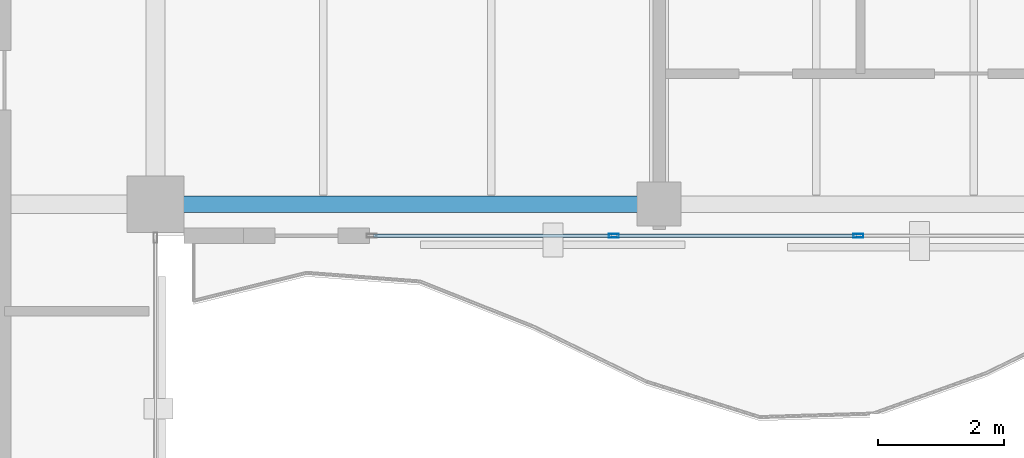
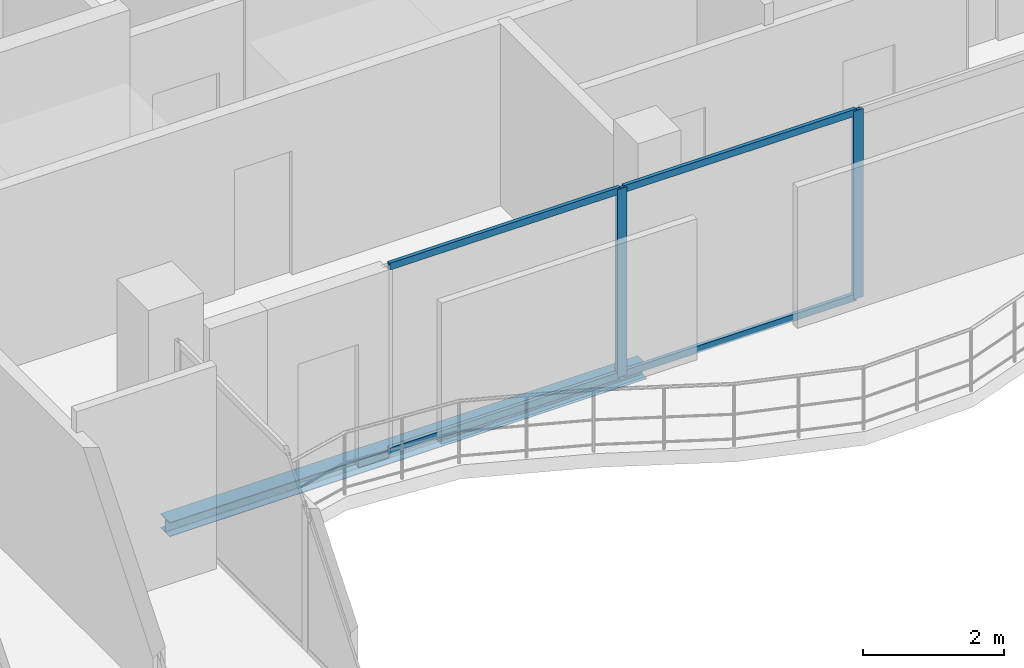
# One storey, part 9 of 22: 6 members, 1 beam, 1 element without a shape of its own.
"""IFC4 building model written with IfcOpenShell, lengths in metres."""

from ifc_helpers import new_model, si_unit, direction, frame, origin, origin_2d, place, context, subcontext, project, spatial, hollow_rectangle, i_section, extrude, material, layer, layer_set, material_profile, profile_set, type_object, element, aggregate, save


model = new_model("IFC4")

# Units and contexts
model_context = context("Model", 3, precision=1e-05, world=origin(), true_north=direction((0.0, 1.0)))
body_context = subcontext(model_context, "Body", "Model", "MODEL_VIEW")
ifc_project = project(units=[si_unit("LENGTHUNIT", "METRE"), si_unit("AREAUNIT", "SQUARE_METRE"), si_unit("VOLUMEUNIT", "CUBIC_METRE"), si_unit("PLANEANGLEUNIT", "RADIAN"), si_unit("MASSUNIT", "GRAM", prefix="KILO")], contexts=[model_context])

# Site, building, storey
site_placement = place(None, origin())
site = spatial("IfcSite", under=ifc_project, at=site_placement, CompositionType="ELEMENT")
building_placement = place(site_placement, origin())
building = spatial("IfcBuilding", under=site, at=building_placement, Name="Catumbela Crestline Tower", CompositionType="ELEMENT")
storey_placement = place(building_placement, frame((0.0, 0.0, 260.2)))
storey = spatial("IfcBuildingStorey", under=building, at=storey_placement, Name="L67", CompositionType="ELEMENT", Elevation=260.2)

# Curtain wall, members
ifc_material_1 = material(Name="Aluminium alloy AW-6060-T66", Category="aluminium")
ifc_layer = layer(ifc_material_1, 0.18, Name="Aluminium alloy AW-6060-T66")
ifc_layer_set = layer_set([ifc_layer], Name="Aluminium alloy AW-6060-T66")
curtain_wall_type = type_object("IfcCurtainWallType", Name="CWU-Z4", PredefinedType="USERDEFINED", material=ifc_layer_set)
curtain_wall_placement = place(storey_placement, origin())
curtain_wall = element("IfcCurtainWall", 1, at=curtain_wall_placement, inside=storey, type_object=curtain_wall_type, Name="L67 Unitised Curtain Wall CW-L67-E3S2", ObjectType="UNITISED", PredefinedType="USERDEFINED")
ifc_material_profile_1 = material_profile(ifc_material_1, hollow_rectangle(XDim=0.06, YDim=0.16, WallThickness=0.004, at=origin_2d()), Name="ALU 160x60x4")
ifc_profile_set_1 = profile_set([ifc_material_profile_1], Name="Aluminium alloy AW-6060-T66")
member_type_1 = type_object("IfcMemberType", Name="MUL-160X60", PredefinedType="MULLION", material=ifc_profile_set_1)
member_1_placement = place(storey_placement, frame((31.2833, 24.0, 0.0), z_axis=(0.0, 0.0, 1.0), x_axis=(0.0, 1.0, 0.0)))
member_1 = element("IfcMember", 2, at=member_1_placement, type_object=member_type_1, Name="CWU-Z4 mullion 2", PredefinedType="MULLION", context=body_context, shape_type="SweptSolid", body=[
    extrude(hollow_rectangle(XDim=0.06, YDim=0.16, WallThickness=0.004, at=origin_2d()), origin(), (0.0, 0.0, 1.0), 3.27),
])
member_2_placement = place(storey_placement, frame((35.1667, 24.0, 0.0), z_axis=(0.0, 0.0, 1.0), x_axis=(0.0, 1.0, 0.0)))
member_2 = element("IfcMember", 3, at=member_2_placement, type_object=member_type_1, Name="CWU-Z4 mullion 3", PredefinedType="MULLION", context=body_context, shape_type="SweptSolid", body=[
    extrude(hollow_rectangle(XDim=0.06, YDim=0.16, WallThickness=0.004, at=origin_2d()), origin(), (0.0, 0.0, 1.0), 3.27),
])

# Beam
ifc_material_2 = material(Name="Structural steel S355J2", Category="steel")
ifc_material_profile_2 = material_profile(ifc_material_2, i_section(OverallWidth=0.26, OverallDepth=0.25, WebThickness=0.0075, FlangeThickness=0.0125, FilletRadius=0.024, at=origin_2d()), Name="HEA 260")
ifc_profile_set_2 = profile_set([ifc_material_profile_2], Name="Structural steel S355J2")
beam_type = type_object("IfcBeamType", Name="BS-HEA260", PredefinedType="SPANDREL", material=ifc_profile_set_2)
beam_placement = place(storey_placement, frame((24.08, 24.5, -0.385), z_axis=(1.0, 0.0, 0.0), x_axis=(0.0, 1.0, 0.0)))
element("IfcBeam", 4, at=beam_placement, inside=storey, type_object=beam_type, Name="L67 Spandrel SP-L67-S04", PredefinedType="SPANDREL", context=body_context, shape_type="SweptSolid", body=[
    extrude(i_section(OverallWidth=0.26, OverallDepth=0.25, WebThickness=0.0075, FlangeThickness=0.0125, FilletRadius=0.024, at=origin_2d()), origin(), (0.0, 0.0, 1.0), 7.84),
])

# Member
ifc_material_profile_3 = material_profile(ifc_material_1, hollow_rectangle(XDim=0.06, YDim=0.12, WallThickness=0.0035, at=origin_2d()), Name="ALU 120x60x3.5")
ifc_profile_set_3 = profile_set([ifc_material_profile_3], Name="Aluminium alloy AW-6060-T66")
member_type_2 = type_object("IfcMemberType", Name="TRN-120X60", PredefinedType="USERDEFINED", material=ifc_profile_set_3)
member_3_placement = place(storey_placement, frame((27.465, 24.0, 0.03), z_axis=(1.0, 0.0, 0.0), x_axis=(0.0, 1.0, 0.0)))
member_3 = element("IfcMember", 5, at=member_3_placement, type_object=member_type_2, Name="CWU-Z4 transom 1.1", ObjectType="TRANSOM", PredefinedType="USERDEFINED", context=body_context, shape_type="SweptSolid", body=[
    extrude(hollow_rectangle(XDim=0.06, YDim=0.12, WallThickness=0.0035, at=origin_2d()), origin(), (0.0, 0.0, 1.0), 3.7858),
])

member_4_placement = place(storey_placement, frame((27.465, 24.0, 3.24), z_axis=(1.0, 0.0, 0.0), x_axis=(0.0, 1.0, 0.0)))
member_4 = element("IfcMember", 6, at=member_4_placement, type_object=member_type_2, Name="CWU-Z4 transom 1.2", ObjectType="TRANSOM", PredefinedType="USERDEFINED", context=body_context, shape_type="SweptSolid", body=[
    extrude(hollow_rectangle(XDim=0.06, YDim=0.12, WallThickness=0.0035, at=origin_2d()), origin(), (0.0, 0.0, 1.0), 3.7858),
])

member_5_placement = place(storey_placement, frame((31.3158, 24.0, 0.03), z_axis=(1.0, 0.0, 0.0), x_axis=(0.0, 1.0, 0.0)))
member_5 = element("IfcMember", 7, at=member_5_placement, type_object=member_type_2, Name="CWU-Z4 transom 2.1", ObjectType="TRANSOM", PredefinedType="USERDEFINED", context=body_context, shape_type="SweptSolid", body=[
    extrude(hollow_rectangle(XDim=0.06, YDim=0.12, WallThickness=0.0035, at=origin_2d()), origin(), (0.0, 0.0, 1.0), 3.8184),
])

member_6_placement = place(storey_placement, frame((31.3158, 24.0, 3.24), z_axis=(1.0, 0.0, 0.0), x_axis=(0.0, 1.0, 0.0)))
member_6 = element("IfcMember", 8, at=member_6_placement, type_object=member_type_2, Name="CWU-Z4 transom 2.2", ObjectType="TRANSOM", PredefinedType="USERDEFINED", context=body_context, shape_type="SweptSolid", body=[
    extrude(hollow_rectangle(XDim=0.06, YDim=0.12, WallThickness=0.0035, at=origin_2d()), origin(), (0.0, 0.0, 1.0), 3.8184),
])

aggregate(curtain_wall, [member_1, member_2, member_3, member_4, member_5, member_6])

save(model, "model.ifc")
